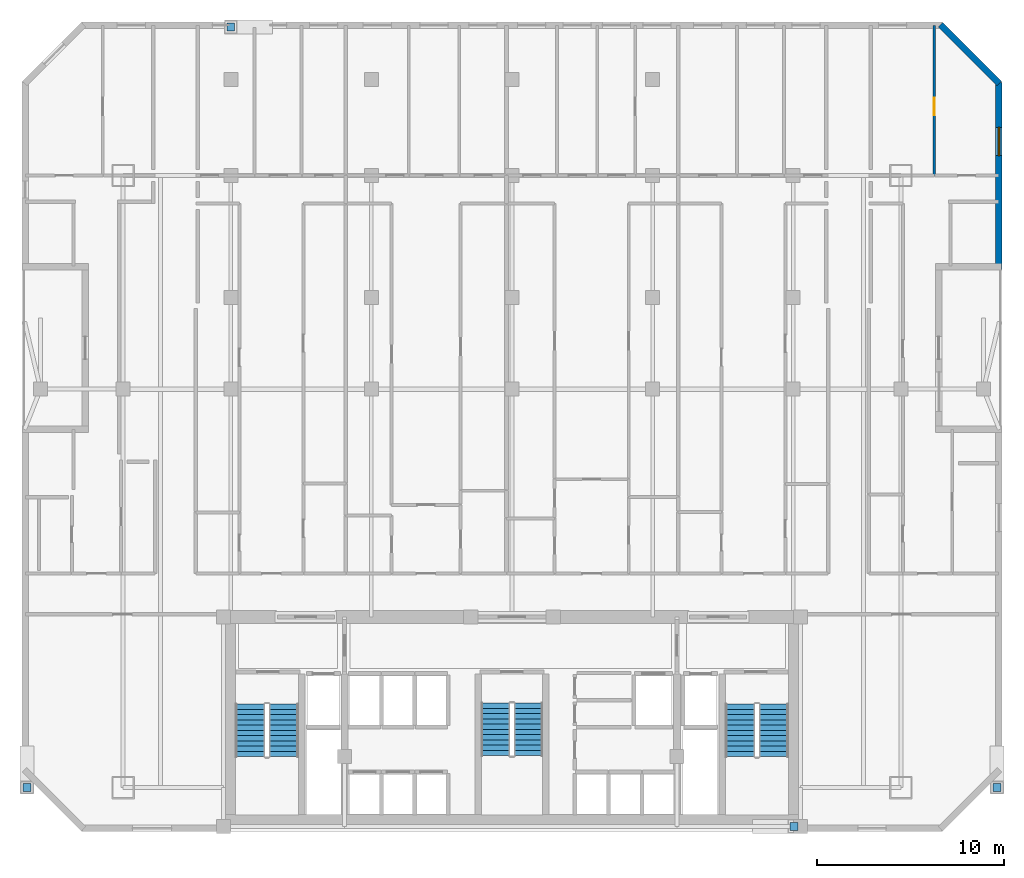
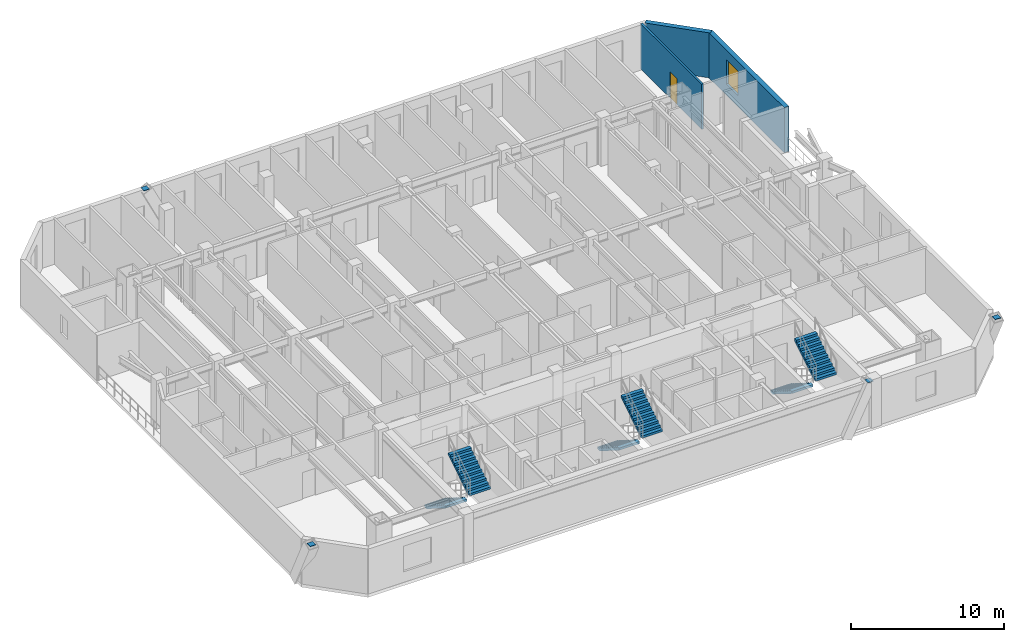
# One storey, part 9 of 11: 6 stair flights, 4 discrete accessories, 3 walls, 1 door, 1 window, 2 openings, 3 elements without a shape of their own.
"""IFC4 building model written with IfcOpenShell, lengths in metres."""

from ifc_helpers import new_model, si_unit, direction, frame, frame_2d, origin, origin_2d, place, context, subcontext, project, spatial, polyline, rectangle, outline, extrude, material, layer, layer_set, type_object, element, fill, aggregate, save


model = new_model("IFC4")

# Units and contexts
model_context = context("Model", 3, precision=1e-05, world=origin(), true_north=direction((0.0, 1.0)))
body_context = subcontext(model_context, "Body", "Model", "MODEL_VIEW")
ifc_project = project(units=[si_unit("LENGTHUNIT", "METRE"), si_unit("AREAUNIT", "SQUARE_METRE"), si_unit("VOLUMEUNIT", "CUBIC_METRE"), si_unit("PLANEANGLEUNIT", "RADIAN"), si_unit("MASSUNIT", "GRAM", prefix="KILO")], contexts=[model_context])

# Site, building, storey
site_placement = place(None, origin())
site = spatial("IfcSite", under=ifc_project, at=site_placement, CompositionType="ELEMENT")
building_placement = place(site_placement, origin())
building = spatial("IfcBuilding", under=site, at=building_placement, Name="Ventersveld Concourse Tower", CompositionType="ELEMENT")
storey_placement = place(building_placement, frame((0.0, 0.0, 119.550048828125)))
storey = spatial("IfcBuildingStorey", under=building, at=storey_placement, Name="L29", CompositionType="ELEMENT", Elevation=119.550048828125)

# Wall, opening, door
ifc_material_1 = material(Name="Autoclaved aerated masonry blockwork", Category="masonry")
ifc_layer_1 = layer(ifc_material_1, 0.14990234375)
ifc_layer_set_1 = layer_set([ifc_layer_1], Name="Autoclaved aerated masonry blockwork")
wall_type_1 = type_object("IfcWallType", Name="WL-INT-150", PredefinedType="PARTITIONING", material=ifc_layer_set_1)
wall_1_placement = place(storey_placement, frame((51.2783203125, 34.9951171875, 0.0), z_axis=(0.0, 0.0, 1.0), x_axis=(0.0, 1.0, 0.0)))
wall_1 = element("IfcWall", 1, at=wall_1_placement, inside=storey, type_object=wall_type_1, Name="L29 Interior Partition SP-L29-29NE-BR1-SP-L29-29NE-BR2", PredefinedType="PARTITIONING", context=body_context, shape_type="SweptSolid", body=[
    extrude(rectangle(XDim=7.994873046875, YDim=0.14990234375, at=frame_2d((3.99755859375, 0.0))), origin(), (0.0, 0.0, 1.0), 3.599853515625),
])
opening_1_placement = place(wall_1_placement, frame((3.22998046875, 0.0, 0.0)))
opening_1 = element("IfcOpeningElement", 2, at=opening_1_placement, cuts=wall_1, Name="Opening ID1", PredefinedType="OPENING", context=body_context, shape_type="SweptSolid", body=[
    extrude(rectangle(XDim=0.919921875, YDim=2.10009765625, at=frame_2d((0.4599609375, 1.050048828125))), frame((0.0, 0.0849609375, 0.0), z_axis=(0.0, -1.0, 0.0), x_axis=(1.0, 0.0, 0.0)), (0.0, 0.0, 1.0), 0.169921875),
])
ifc_material_2 = material(Name="Solid-core hardwood veneer timber", Category="wood")
door_type = type_object("IfcDoorType", Name="DR-ROOM-092", OperationType="NOTDEFINED", PredefinedType="DOOR", material=ifc_material_2)
door_placement = place(opening_1_placement, origin())
door = element("IfcDoor", 3, at=door_placement, inside=storey, type_object=door_type, Name="L29 Interior Door Flat 29NE Master Bedroom (D-L29-1480)", OperationType="SINGLE_SWING_LEFT", OverallHeight=2.10009765625, OverallWidth=0.919921875, PredefinedType="DOOR", context=body_context, shape_type="SweptSolid", body=[
    extrude(rectangle(XDim=0.919921875, YDim=2.10009765625, at=frame_2d((0.4599609375, 1.050048828125))), frame((0.0, 0.02490234375, 0.0), z_axis=(0.0, -1.0, 0.0), x_axis=(1.0, 0.0, 0.0)), (0.0, 0.0, 1.0), 0.050048828125),
])
fill(opening_1, door)

# Wall, opening, window
ifc_material_3 = material(Name="Precast concrete C45/55", Category="concrete")
ifc_layer_2 = layer(ifc_material_3, 0.35009765625)
ifc_layer_set_2 = layer_set([ifc_layer_2], Name="Precast concrete C45/55")
wall_type_2 = type_object("IfcWallType", Name="WL-PREC-350", PredefinedType="SOLIDWALL", material=ifc_layer_set_2)
wall_2_placement = place(storey_placement, frame((54.72509765625, 29.989990234375, 0.0), z_axis=(0.0, 0.0, 1.0), x_axis=(0.0, 1.0, 0.0)))
wall_2 = element("IfcWall", 4, at=wall_2_placement, inside=storey, type_object=wall_type_2, Name="L29 Highveld Precast Facade Wall E07", PredefinedType="SOLIDWALL", context=body_context, shape_type="SweptSolid", body=[
    extrude(rectangle(XDim=9.969970703125, YDim=0.35009765625, at=frame_2d((4.98486328125, 0.0))), origin(), (0.0, 0.0, 1.0), 3.599853515625),
])
opening_2_placement = place(wall_2_placement, frame((6.072509765625, 0.0, 0.89990234375)))
opening_2 = element("IfcOpeningElement", 5, at=opening_2_placement, cuts=wall_2, Name="Opening W1", PredefinedType="OPENING", context=body_context, shape_type="SweptSolid", body=[
    extrude(rectangle(XDim=1.5, YDim=1.949951171875, at=frame_2d((0.75, 0.97509765625))), frame((0.0, 0.18505859375, 0.0), z_axis=(0.0, -1.0, 0.0), x_axis=(1.0, 0.0, 0.0)), (0.0, 0.0, 1.0), 0.3701171875),
])
ifc_material_4 = material(Name="Tempered acoustic Low-E IGU", Category="glass")
window_type = type_object("IfcWindowType", Name="WIN-150x210", PartitioningType="SINGLE_PANEL", PredefinedType="WINDOW", material=ifc_material_4)
window_placement = place(opening_2_placement, origin())
window = element("IfcWindow", 6, at=window_placement, inside=storey, type_object=window_type, Name="L29 Punched Low-E Window W-0363", OverallHeight=1.949951171875, OverallWidth=1.5, PartitioningType="SINGLE_PANEL", PredefinedType="WINDOW", context=body_context, shape_type="SweptSolid", body=[
    extrude(rectangle(XDim=1.5, YDim=1.949951171875, at=frame_2d((0.75, 0.97509765625))), frame((0.0, 0.030029296875, 0.0), z_axis=(0.0, -1.0, 0.0), x_axis=(1.0, 0.0, 0.0)), (0.0, 0.0, 1.0), 0.06005859375),
])
fill(opening_2, window)

# Wall
wall_3_placement = place(storey_placement, frame((54.748046875, 39.904541015625, 0.0), z_axis=(0.0, 0.0, 1.0), x_axis=(-0.707106781187, 0.707106781187, 0.0)))
element("IfcWall", 7, at=wall_3_placement, inside=storey, type_object=wall_type_2, Name="L29 Highveld Precast Facade Wall E08", PredefinedType="SOLIDWALL", context=body_context, shape_type="SweptSolid", body=[
    extrude(rectangle(XDim=4.445556640625, YDim=0.35009765625, at=frame_2d((2.22265625, 0.0))), origin(), (0.0, 0.0, 1.0), 3.599853515625),
])

# Stair, stair flights
ifc_material_5 = material(Name="Concrete C50/60", Category="concrete")
stair_type_1 = type_object("IfcStairType", Name="ST-DOG-155", PredefinedType="HALF_TURN_STAIR", material=ifc_material_5)
stair_1_placement = place(storey_placement, origin())
stair_1 = element("IfcStair", 8, at=stair_1_placement, inside=storey, type_object=stair_type_1, Name="L29 Protected Central Core Escape Stair ST-03", PredefinedType="HALF_TURN_STAIR")
stair_flight_type_1 = type_object("IfcStairFlightType", Name="STF-RC-155", PredefinedType="STRAIGHT", material=ifc_material_5)
stair_flight_1_placement = place(storey_placement, frame((27.875, 6.85009765625, 0.0), z_axis=(0.0, 0.0, 1.0), x_axis=(0.0, -1.0, 0.0)))
stair_flight_1 = element("IfcStairFlight", 9, at=stair_flight_1_placement, type_object=stair_flight_type_1, Name="ST-03 flight 1", NumberOfRisers=11, NumberOfTreads=10, PredefinedType="STRAIGHT", RiserHeight=0.175, TreadLength=0.28, context=body_context, shape_type="SweptSolid", body=[
    extrude(outline(polyline([(0.0, 0.0), (0.0, 0.175048828125), (0.280029296875, 0.175048828125), (0.280029296875, 0.35009765625), (0.56005859375, 0.35009765625), (0.56005859375, 0.52490234375), (0.840087890625, 0.52490234375), (0.840087890625, 0.699951171875), (1.1201171875, 0.699951171875), (1.1201171875, 0.875), (1.39990234375, 0.875), (1.39990234375, 1.050048828125), (1.679931640625, 1.050048828125), (1.679931640625, 1.22509765625), (1.9599609375, 1.22509765625), (1.9599609375, 1.39990234375), (2.239990234375, 1.39990234375), (2.239990234375, 1.574951171875), (2.52001953125, 1.574951171875), (2.52001953125, 1.75), (2.800048828125, 1.75), (2.800048828125, 1.925048828125), (2.800048828125, 1.5732421875), (0.28271484375, 0.0), (0.0, 0.0)])), frame((0.0, 0.77490234375, 0.0), z_axis=(0.0, -1.0, 0.0), x_axis=(1.0, 0.0, 0.0)), (0.0, 0.0, 1.0), 1.550048828125),
])
stair_flight_2_placement = place(storey_placement, frame((29.625, 4.050048828125, 1.925048828125), z_axis=(0.0, 0.0, 1.0), x_axis=(0.0, 1.0, 0.0)))
stair_flight_2 = element("IfcStairFlight", 10, at=stair_flight_2_placement, type_object=stair_flight_type_1, Name="ST-03 flight 2", NumberOfRisers=11, NumberOfTreads=10, PredefinedType="STRAIGHT", RiserHeight=0.175, TreadLength=0.28, context=body_context, shape_type="SweptSolid", body=[
    extrude(outline(polyline([(0.0, 0.0), (0.0, 0.175048828125), (0.280029296875, 0.175048828125), (0.280029296875, 0.35009765625), (0.56005859375, 0.35009765625), (0.56005859375, 0.52490234375), (0.840087890625, 0.52490234375), (0.840087890625, 0.699951171875), (1.1201171875, 0.699951171875), (1.1201171875, 0.875), (1.39990234375, 0.875), (1.39990234375, 1.050048828125), (1.679931640625, 1.050048828125), (1.679931640625, 1.22509765625), (1.9599609375, 1.22509765625), (1.9599609375, 1.39990234375), (2.239990234375, 1.39990234375), (2.239990234375, 1.574951171875), (2.52001953125, 1.574951171875), (2.52001953125, 1.75), (2.800048828125, 1.75), (2.800048828125, 1.925048828125), (2.800048828125, 1.5732421875), (0.28271484375, 0.0), (0.0, 0.0)])), frame((0.0, 0.77490234375, 0.0), z_axis=(0.0, -1.0, 0.0), x_axis=(1.0, 0.0, 0.0)), (0.0, 0.0, 1.0), 1.550048828125),
])
aggregate(stair_1, [stair_flight_1, stair_flight_2])

stair_type_2 = type_object("IfcStairType", Name="ST-DOG-160", PredefinedType="HALF_TURN_STAIR", material=ifc_material_5)
stair_2_placement = place(storey_placement, origin())
stair_2 = element("IfcStair", 11, at=stair_2_placement, inside=storey, type_object=stair_type_2, Name="L29 Protected Tower Escape Stair ST-01", PredefinedType="HALF_TURN_STAIR")
stair_flight_type_2 = type_object("IfcStairFlightType", Name="STF-RC-160", PredefinedType="STRAIGHT", material=ifc_material_5)
stair_flight_3_placement = place(storey_placement, frame((14.780029296875, 6.800048828125, 0.0), z_axis=(0.0, 0.0, 1.0), x_axis=(0.0, -1.0, 0.0)))
stair_flight_3 = element("IfcStairFlight", 12, at=stair_flight_3_placement, type_object=stair_flight_type_2, Name="ST-01 flight 1", NumberOfRisers=11, NumberOfTreads=10, PredefinedType="STRAIGHT", RiserHeight=0.175, TreadLength=0.28, context=body_context, shape_type="SweptSolid", body=[
    extrude(outline(polyline([(0.0, 0.0), (0.0, 0.175048828125), (0.280029296875, 0.175048828125), (0.280029296875, 0.35009765625), (0.56005859375, 0.35009765625), (0.56005859375, 0.52490234375), (0.840087890625, 0.52490234375), (0.840087890625, 0.699951171875), (1.1201171875, 0.699951171875), (1.1201171875, 0.875), (1.39990234375, 0.875), (1.39990234375, 1.050048828125), (1.679931640625, 1.050048828125), (1.679931640625, 1.22509765625), (1.9599609375, 1.22509765625), (1.9599609375, 1.39990234375), (2.239990234375, 1.39990234375), (2.239990234375, 1.574951171875), (2.52001953125, 1.574951171875), (2.52001953125, 1.75), (2.800048828125, 1.75), (2.800048828125, 1.925048828125), (2.800048828125, 1.5732421875), (0.28271484375, 0.0), (0.0, 0.0)])), frame((0.0, 0.800048828125, 0.0), z_axis=(0.0, -1.0, 0.0), x_axis=(1.0, 0.0, 0.0)), (0.0, 0.0, 1.0), 1.60009765625),
])
stair_flight_4_placement = place(storey_placement, frame((16.580078125, 4.0, 1.925048828125), z_axis=(0.0, 0.0, 1.0), x_axis=(0.0, 1.0, 0.0)))
stair_flight_4 = element("IfcStairFlight", 13, at=stair_flight_4_placement, type_object=stair_flight_type_2, Name="ST-01 flight 2", NumberOfRisers=11, NumberOfTreads=10, PredefinedType="STRAIGHT", RiserHeight=0.175, TreadLength=0.28, context=body_context, shape_type="SweptSolid", body=[
    extrude(outline(polyline([(0.0, 0.0), (0.0, 0.175048828125), (0.280029296875, 0.175048828125), (0.280029296875, 0.35009765625), (0.56005859375, 0.35009765625), (0.56005859375, 0.52490234375), (0.840087890625, 0.52490234375), (0.840087890625, 0.699951171875), (1.1201171875, 0.699951171875), (1.1201171875, 0.875), (1.39990234375, 0.875), (1.39990234375, 1.050048828125), (1.679931640625, 1.050048828125), (1.679931640625, 1.22509765625), (1.9599609375, 1.22509765625), (1.9599609375, 1.39990234375), (2.239990234375, 1.39990234375), (2.239990234375, 1.574951171875), (2.52001953125, 1.574951171875), (2.52001953125, 1.75), (2.800048828125, 1.75), (2.800048828125, 1.925048828125), (2.800048828125, 1.5732421875), (0.28271484375, 0.0), (0.0, 0.0)])), frame((0.0, 0.800048828125, 0.0), z_axis=(0.0, -1.0, 0.0), x_axis=(1.0, 0.0, 0.0)), (0.0, 0.0, 1.0), 1.60009765625),
])
aggregate(stair_2, [stair_flight_3, stair_flight_4])

stair_3_placement = place(storey_placement, origin())
stair_3 = element("IfcStair", 14, at=stair_3_placement, inside=storey, type_object=stair_type_2, Name="L29 Protected Tower Escape Stair ST-02", PredefinedType="HALF_TURN_STAIR")
stair_flight_5_placement = place(storey_placement, frame((40.919921875, 6.800048828125, 0.0), z_axis=(0.0, 0.0, 1.0), x_axis=(0.0, -1.0, 0.0)))
stair_flight_5 = element("IfcStairFlight", 15, at=stair_flight_5_placement, type_object=stair_flight_type_2, Name="ST-02 flight 1", NumberOfRisers=11, NumberOfTreads=10, PredefinedType="STRAIGHT", RiserHeight=0.175, TreadLength=0.28, context=body_context, shape_type="SweptSolid", body=[
    extrude(outline(polyline([(0.0, 0.0), (0.0, 0.175048828125), (0.280029296875, 0.175048828125), (0.280029296875, 0.35009765625), (0.56005859375, 0.35009765625), (0.56005859375, 0.52490234375), (0.840087890625, 0.52490234375), (0.840087890625, 0.699951171875), (1.1201171875, 0.699951171875), (1.1201171875, 0.875), (1.39990234375, 0.875), (1.39990234375, 1.050048828125), (1.679931640625, 1.050048828125), (1.679931640625, 1.22509765625), (1.9599609375, 1.22509765625), (1.9599609375, 1.39990234375), (2.239990234375, 1.39990234375), (2.239990234375, 1.574951171875), (2.52001953125, 1.574951171875), (2.52001953125, 1.75), (2.800048828125, 1.75), (2.800048828125, 1.925048828125), (2.800048828125, 1.5732421875), (0.28271484375, 0.0), (0.0, 0.0)])), frame((0.0, 0.800048828125, 0.0), z_axis=(0.0, -1.0, 0.0), x_axis=(1.0, 0.0, 0.0)), (0.0, 0.0, 1.0), 1.60009765625),
])
stair_flight_6_placement = place(storey_placement, frame((42.719970703125, 4.0, 1.925048828125), z_axis=(0.0, 0.0, 1.0), x_axis=(0.0, 1.0, 0.0)))
stair_flight_6 = element("IfcStairFlight", 16, at=stair_flight_6_placement, type_object=stair_flight_type_2, Name="ST-02 flight 2", NumberOfRisers=11, NumberOfTreads=10, PredefinedType="STRAIGHT", RiserHeight=0.175, TreadLength=0.28, context=body_context, shape_type="SweptSolid", body=[
    extrude(outline(polyline([(0.0, 0.0), (0.0, 0.175048828125), (0.280029296875, 0.175048828125), (0.280029296875, 0.35009765625), (0.56005859375, 0.35009765625), (0.56005859375, 0.52490234375), (0.840087890625, 0.52490234375), (0.840087890625, 0.699951171875), (1.1201171875, 0.699951171875), (1.1201171875, 0.875), (1.39990234375, 0.875), (1.39990234375, 1.050048828125), (1.679931640625, 1.050048828125), (1.679931640625, 1.22509765625), (1.9599609375, 1.22509765625), (1.9599609375, 1.39990234375), (2.239990234375, 1.39990234375), (2.239990234375, 1.574951171875), (2.52001953125, 1.574951171875), (2.52001953125, 1.75), (2.800048828125, 1.75), (2.800048828125, 1.925048828125), (2.800048828125, 1.5732421875), (0.28271484375, 0.0), (0.0, 0.0)])), frame((0.0, 0.800048828125, 0.0), z_axis=(0.0, -1.0, 0.0), x_axis=(1.0, 0.0, 0.0)), (0.0, 0.0, 1.0), 1.60009765625),
])
aggregate(stair_3, [stair_flight_5, stair_flight_6])

# Discrete accessories
ifc_material_6 = material(Name="Structural steel S355J2", Category="steel")
discrete_accessory_type = type_object("IfcDiscreteAccessoryType", Name="CONN-BRACE-ECP1", PredefinedType="BRACKET", material=ifc_material_6)
for number, where, z_axis, x_axis, name in (
    (17, (13.75, 42.919921875, 3.579833984375), (0.0, 0.0, 1.0), (1.0, 0.0, 0.0), "L29 Steel Brace End Connection Plate ECP1-0287"),
    (18, (43.800048828125, 0.280029296875, 3.579833984375), (0.0, 0.0, 1.0), (1.0, 0.0, 0.0), "L29 Steel Brace End Connection Plate ECP1-0291"),
    (19, (2.8798828125, 2.35009765625, 3.579833984375), (0.0, 0.0, 1.0), (1.0, 0.0, 0.0), "L29 Steel Brace End Connection Plate ECP1-0295"),
    (20, (54.6201171875, 2.35009765625, 3.579833984375), (0.0, 0.0, 1.0), (1.0, 0.0, 0.0), "L29 Steel Brace End Connection Plate ECP1-0299"),
):
    element("IfcDiscreteAccessory", number, at=place(storey_placement, frame(where, z_axis=z_axis, x_axis=x_axis)), inside=storey, type_object=discrete_accessory_type, Name=name, PredefinedType="BRACKET", context=body_context, shape_type="SweptSolid", body=[
        extrude(rectangle(XDim=0.419921875, YDim=0.419921875, at=origin_2d()), origin(), (0.0, 0.0, 1.0), 0.0400390625),
    ])

save(model, "model.ifc")
